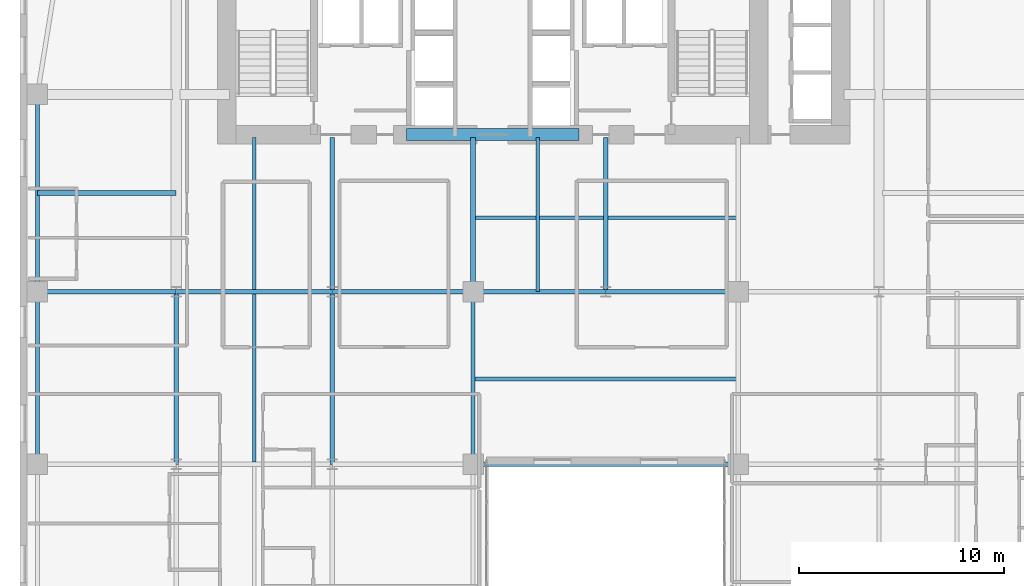
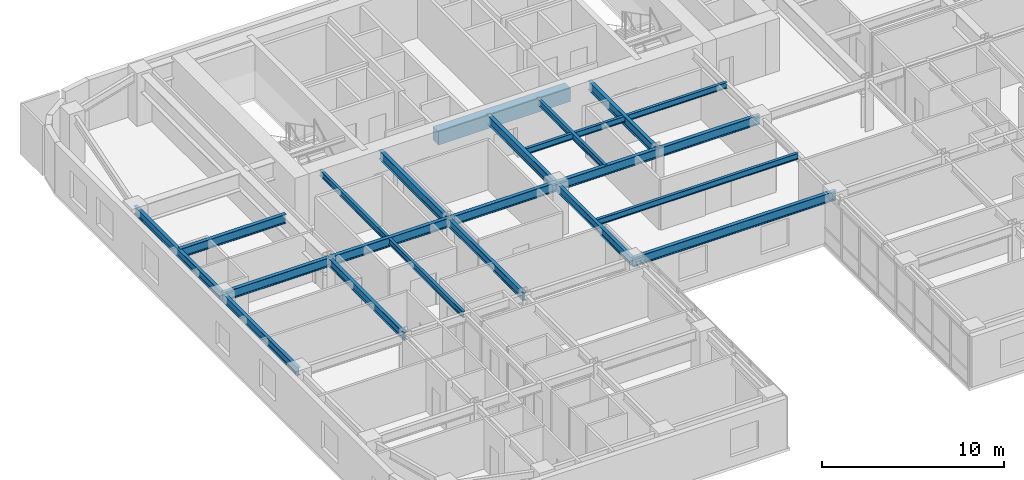
# One storey, part 4 of 17: 21 beams.
"""IFC4 building model written with IfcOpenShell, lengths in metres."""

from ifc_helpers import new_model, si_unit, direction, frame, origin, origin_2d, place, context, subcontext, project, spatial, rectangle, i_section, extrude, source, transform, mapped, material, material_profile, profile_set, type_object, type_shapes, element, save


model = new_model("IFC4")

# Units and contexts
model_context = context("Model", 3, precision=1e-05, world=origin(), true_north=direction((0.0, 1.0)))
body_context = subcontext(model_context, "Body", "Model", "MODEL_VIEW")
ifc_project = project(units=[si_unit("LENGTHUNIT", "METRE"), si_unit("AREAUNIT", "SQUARE_METRE"), si_unit("VOLUMEUNIT", "CUBIC_METRE"), si_unit("PLANEANGLEUNIT", "RADIAN"), si_unit("MASSUNIT", "GRAM", prefix="KILO")], contexts=[model_context])

# Site, building, storey
site_placement = place(None, origin())
site = spatial("IfcSite", under=ifc_project, at=site_placement, CompositionType="ELEMENT")
building_placement = place(site_placement, origin())
building = spatial("IfcBuilding", under=site, at=building_placement, Name="Tolvann Quenvar Hotel", CompositionType="ELEMENT")
storey_placement = place(building_placement, frame((0.0, 0.0, 49.75)))
storey = spatial("IfcBuildingStorey", under=building, at=storey_placement, Name="L11", CompositionType="ELEMENT", Elevation=49.75)

# Beams
ifc_material_1 = material(Name="Concrete N50 (50 MPa)", Category="concrete")
ifc_material_profile_1 = material_profile(ifc_material_1, rectangle(XDim=0.60009765625, YDim=0.89990234375, at=origin_2d()), Name="RC600x900")
ifc_profile_set_1 = profile_set([ifc_material_profile_1], Name="Concrete N50 (50 MPa)")
beam_type_1 = type_object("IfcBeamType", Name="BM_LINT_RC600x900", PredefinedType="LINTEL", material=ifc_profile_set_1)
shared_shape_1 = source(origin(), body_context, "Body", "SweptSolid", [
    extrude(rectangle(XDim=0.60009765625, YDim=0.89990234375, at=origin_2d()), origin(), (0.0, 0.0, 1.0), 8.39990234375),
])
type_shapes(beam_type_1, [shared_shape_1])
beam_1_placement = place(storey_placement, frame((18.800048828125, 32.050048828125, 2.919921875), z_axis=(1.0, 0.0, 0.0), x_axis=(0.0, 1.0, 0.0)))
element("IfcBeam", 1, at=beam_1_placement, inside=storey, type_object=beam_type_1, Name="Core Coupling Lintel Beam (L11)", PredefinedType="LINTEL", context=body_context, shape_type="MappedRepresentation", body=[
    mapped(shared_shape_1, transform((0.0, 0.0, 0.0), x_axis=(1.0, 0.0, 0.0), y_axis=(0.0, 1.0, 0.0), z_axis=(0.0, 0.0, 1.0), scale=1.0)),
])
ifc_material_2 = material(Name="Steel Grade 350", Category="steel")
ifc_material_profile_2 = material_profile(ifc_material_2, i_section(OverallWidth=0.22900390625, OverallDepth=0.612060546875, WebThickness=0.011962890625, FlangeThickness=0.01953125, FilletRadius=0.013916015625, at=origin_2d()), Name="610UB125")
ifc_profile_set_2 = profile_set([ifc_material_profile_2], Name="Steel Grade 350")
beam_type_2 = type_object("IfcBeamType", Name="BM_GIRD_610UB125", PredefinedType="BEAM", material=ifc_profile_set_2)
shared_shape_2 = source(origin(), body_context, "Body", "SweptSolid", [
    extrude(i_section(OverallWidth=0.22900390625, OverallDepth=0.612060546875, WebThickness=0.011962890625, FlangeThickness=0.01953125, FilletRadius=0.013916015625, at=origin_2d()), origin(), (0.0, 0.0, 1.0), 6.75),
])
for number, where, z_axis, x_axis, name in (
    (2, (0.85009765625, 24.39990234375, 3.06396484375), (1.0, 0.0, 0.0), (0.0, 1.0, 0.0), "BM-L11-EW-5-B5-C5"),
    (3, (0.85009765625, 29.199951171875, 3.06396484375), (1.0, 0.0, 0.0), (0.0, 1.0, 0.0), "BM-L11-EW-BC29"),
):
    element("IfcBeam", number, at=place(storey_placement, frame(where, z_axis=z_axis, x_axis=x_axis)), inside=storey, type_object=beam_type_2, Name=name, PredefinedType="BEAM", context=body_context, shape_type="MappedRepresentation", body=[
        mapped(shared_shape_2, transform((0.0, 0.0, 0.0), x_axis=(1.0, 0.0, 0.0), y_axis=(0.0, 1.0, 0.0), z_axis=(0.0, 0.0, 1.0), scale=1.0)),
    ])
shared_shape_3 = source(origin(), body_context, "Body", "SweptSolid", [
    extrude(i_section(OverallWidth=0.22900390625, OverallDepth=0.612060546875, WebThickness=0.011962890625, FlangeThickness=0.01953125, FilletRadius=0.013916015625, at=origin_2d()), origin(), (0.0, 0.0, 1.0), 7.599853515625),
])
beam_2_placement = place(storey_placement, frame((7.60009765625, 24.39990234375, 3.06396484375), z_axis=(1.0, 0.0, 0.0), x_axis=(0.0, 1.0, 0.0)))
element("IfcBeam", 4, at=beam_2_placement, inside=storey, type_object=beam_type_2, Name="BM-L11-EW-5-C5-D5", PredefinedType="BEAM", context=body_context, shape_type="MappedRepresentation", body=[
    mapped(shared_shape_3, transform((0.0, 0.0, 0.0), x_axis=(1.0, 0.0, 0.0), y_axis=(0.0, 1.0, 0.0), z_axis=(0.0, 0.0, 1.0), scale=1.0)),
])
shared_shape_4 = source(origin(), body_context, "Body", "SweptSolid", [
    extrude(i_section(OverallWidth=0.22900390625, OverallDepth=0.612060546875, WebThickness=0.011962890625, FlangeThickness=0.01953125, FilletRadius=0.013916015625, at=origin_2d()), origin(), (0.0, 0.0, 1.0), 6.85009765625),
])
beam_3_placement = place(storey_placement, frame((15.199951171875, 24.39990234375, 3.06396484375), z_axis=(1.0, 0.0, 0.0), x_axis=(0.0, 1.0, 0.0)))
element("IfcBeam", 5, at=beam_3_placement, inside=storey, type_object=beam_type_2, Name="BM-L11-EW-5-D5-E5", PredefinedType="BEAM", context=body_context, shape_type="MappedRepresentation", body=[
    mapped(shared_shape_4, transform((0.0, 0.0, 0.0), x_axis=(1.0, 0.0, 0.0), y_axis=(0.0, 1.0, 0.0), z_axis=(0.0, 0.0, 1.0), scale=1.0)),
])
shared_shape_5 = source(origin(), body_context, "Body", "SweptSolid", [
    extrude(i_section(OverallWidth=0.22900390625, OverallDepth=0.612060546875, WebThickness=0.011962890625, FlangeThickness=0.01953125, FilletRadius=0.013916015625, at=origin_2d()), origin(), (0.0, 0.0, 1.0), 12.89990234375),
])
beam_4_placement = place(storey_placement, frame((22.050048828125, 16.0, 3.06396484375), z_axis=(1.0, 0.0, 0.0), x_axis=(0.0, 1.0, 0.0)))
element("IfcBeam", 6, at=beam_4_placement, inside=storey, type_object=beam_type_2, Name="BM-L11-EW-4-E4-F4", PredefinedType="BEAM", context=body_context, shape_type="MappedRepresentation", body=[
    mapped(shared_shape_5, transform((0.0, 0.0, 0.0), x_axis=(1.0, 0.0, 0.0), y_axis=(0.0, 1.0, 0.0), z_axis=(0.0, 0.0, 1.0), scale=1.0)),
])
shared_shape_6 = source(origin(), body_context, "Body", "SweptSolid", [
    extrude(i_section(OverallWidth=0.22900390625, OverallDepth=0.612060546875, WebThickness=0.011962890625, FlangeThickness=0.01953125, FilletRadius=0.013916015625, at=origin_2d()), origin(), (0.0, 0.0, 1.0), 6.449951171875),
])
for number, where, z_axis, x_axis, name in (
    (7, (22.050048828125, 24.39990234375, 3.06396484375), (1.0, 0.0, 0.0), (0.0, 1.0, 0.0), "BM-L11-EW-5-E5-M5"),
    (8, (28.5, 24.39990234375, 3.06396484375), (1.0, 0.0, 0.0), (0.0, 1.0, 0.0), "BM-L11-EW-5-M5-F5"),
):
    element("IfcBeam", number, at=place(storey_placement, frame(where, z_axis=z_axis, x_axis=x_axis)), inside=storey, type_object=beam_type_2, Name=name, PredefinedType="BEAM", context=body_context, shape_type="MappedRepresentation", body=[
        mapped(shared_shape_6, transform((0.0, 0.0, 0.0), x_axis=(1.0, 0.0, 0.0), y_axis=(0.0, 1.0, 0.0), z_axis=(0.0, 0.0, 1.0), scale=1.0)),
    ])
ifc_material_profile_3 = material_profile(ifc_material_2, i_section(OverallWidth=0.208984375, OverallDepth=0.528076171875, WebThickness=0.009521484375, FlangeThickness=0.01318359375, FilletRadius=0.013916015625, at=origin_2d()), Name="530UB82")
ifc_profile_set_3 = profile_set([ifc_material_profile_3], Name="Steel Grade 350")
beam_type_3 = type_object("IfcBeamType", Name="BM_SPAND_530UB82", PredefinedType="SPANDREL", material=ifc_profile_set_3)
shared_shape_7 = source(origin(), body_context, "Body", "SweptSolid", [
    extrude(i_section(OverallWidth=0.208984375, OverallDepth=0.528076171875, WebThickness=0.009521484375, FlangeThickness=0.01318359375, FilletRadius=0.013916015625, at=origin_2d()), origin(), (0.0, 0.0, 1.0), 8.39990234375),
])
beam_5_placement = place(storey_placement, frame((0.85009765625, 16.0, 3.10595703125), z_axis=(0.0, 1.0, 0.0), x_axis=(-1.0, 0.0, 0.0)))
element("IfcBeam", 9, at=beam_5_placement, inside=storey, type_object=beam_type_3, Name="BM-L11-NS-B4-B5", PredefinedType="SPANDREL", context=body_context, shape_type="MappedRepresentation", body=[
    mapped(shared_shape_7, transform((0.0, 0.0, 0.0), x_axis=(1.0, 0.0, 0.0), y_axis=(0.0, 1.0, 0.0), z_axis=(0.0, 0.0, 1.0), scale=1.0)),
])
ifc_material_profile_4 = material_profile(ifc_material_2, i_section(OverallWidth=0.208984375, OverallDepth=0.532958984375, WebThickness=0.01025390625, FlangeThickness=0.015625, FilletRadius=0.013916015625, at=origin_2d()), Name="530UB92")
ifc_profile_set_4 = profile_set([ifc_material_profile_4], Name="Steel Grade 350")
beam_type_4 = type_object("IfcBeamType", Name="BM_GIRD_530UB92", PredefinedType="BEAM", material=ifc_profile_set_4)
shared_shape_8 = source(origin(), body_context, "Body", "SweptSolid", [
    extrude(i_section(OverallWidth=0.208984375, OverallDepth=0.532958984375, WebThickness=0.01025390625, FlangeThickness=0.015625, FilletRadius=0.013916015625, at=origin_2d()), origin(), (0.0, 0.0, 1.0), 8.39990234375),
])
type_shapes(beam_type_4, [shared_shape_8])
for number, where, z_axis, x_axis, name in (
    (10, (7.60009765625, 16.0, 3.103515625), (0.0, 1.0, 0.0), (-1.0, 0.0, 0.0), "BM-L11-NS-C4-C5"),
    (11, (15.199951171875, 16.0, 3.103515625), (0.0, 1.0, 0.0), (-1.0, 0.0, 0.0), "BM-L11-NS-D4-D5"),
    (12, (22.050048828125, 16.0, 3.103515625), (0.0, 1.0, 0.0), (-1.0, 0.0, 0.0), "BM-L11-NS-E4-E5"),
):
    element("IfcBeam", number, at=place(storey_placement, frame(where, z_axis=z_axis, x_axis=x_axis)), inside=storey, type_object=beam_type_4, Name=name, PredefinedType="BEAM", context=body_context, shape_type="MappedRepresentation", body=[
        mapped(shared_shape_8, transform((0.0, 0.0, 0.0), x_axis=(1.0, 0.0, 0.0), y_axis=(0.0, 1.0, 0.0), z_axis=(0.0, 0.0, 1.0), scale=1.0)),
    ])
shared_shape_9 = source(origin(), body_context, "Body", "SweptSolid", [
    extrude(i_section(OverallWidth=0.22900390625, OverallDepth=0.612060546875, WebThickness=0.011962890625, FlangeThickness=0.01953125, FilletRadius=0.013916015625, at=origin_2d()), origin(), (0.0, 0.0, 1.0), 7.5),
])
type_shapes(beam_type_2, [shared_shape_2, shared_shape_3, shared_shape_4, shared_shape_5, shared_shape_6, shared_shape_9])
for number, where, z_axis, x_axis, name in (
    (13, (15.199951171875, 24.39990234375, 3.06396484375), (0.0, 1.0, 0.0), (-1.0, 0.0, 0.0), "BM-L11-CORE-D5"),
    (14, (22.050048828125, 24.39990234375, 3.06396484375), (0.0, 1.0, 0.0), (-1.0, 0.0, 0.0), "BM-L11-CORE-E5"),
    (15, (28.5, 24.39990234375, 3.06396484375), (0.0, 1.0, 0.0), (-1.0, 0.0, 0.0), "BM-L11-CORE-M5"),
):
    element("IfcBeam", number, at=place(storey_placement, frame(where, z_axis=z_axis, x_axis=x_axis)), inside=storey, type_object=beam_type_2, Name=name, PredefinedType="BEAM", context=body_context, shape_type="MappedRepresentation", body=[
        mapped(shared_shape_9, transform((0.0, 0.0, 0.0), x_axis=(1.0, 0.0, 0.0), y_axis=(0.0, 1.0, 0.0), z_axis=(0.0, 0.0, 1.0), scale=1.0)),
    ])
shared_shape_10 = source(origin(), body_context, "Body", "SweptSolid", [
    extrude(i_section(OverallWidth=0.208984375, OverallDepth=0.528076171875, WebThickness=0.009521484375, FlangeThickness=0.01318359375, FilletRadius=0.013916015625, at=origin_2d()), origin(), (0.0, 0.0, 1.0), 9.60009765625),
])
type_shapes(beam_type_3, [shared_shape_7, shared_shape_10])
beam_6_placement = place(storey_placement, frame((0.85009765625, 24.39990234375, 3.10595703125), z_axis=(0.0, 1.0, 0.0), x_axis=(-1.0, 0.0, 0.0)))
element("IfcBeam", 16, at=beam_6_placement, inside=storey, type_object=beam_type_3, Name="BM-L11-FLK-W1", PredefinedType="SPANDREL", context=body_context, shape_type="MappedRepresentation", body=[
    mapped(shared_shape_10, transform((0.0, 0.0, 0.0), x_axis=(1.0, 0.0, 0.0), y_axis=(0.0, 1.0, 0.0), z_axis=(0.0, 0.0, 1.0), scale=1.0)),
])
ifc_material_profile_5 = material_profile(ifc_material_2, i_section(OverallWidth=0.177978515625, OverallDepth=0.406005859375, WebThickness=0.0078125, FlangeThickness=0.0126953125, FilletRadius=0.011474609375, at=origin_2d()), Name="410UB60")
ifc_profile_set_5 = profile_set([ifc_material_profile_5], Name="Steel Grade 350")
beam_type_5 = type_object("IfcBeamType", Name="BM_JOIST_410UB60", PredefinedType="JOIST", material=ifc_profile_set_5)
shared_shape_11 = source(origin(), body_context, "Body", "SweptSolid", [
    extrude(i_section(OverallWidth=0.177978515625, OverallDepth=0.406005859375, WebThickness=0.0078125, FlangeThickness=0.0126953125, FilletRadius=0.011474609375, at=origin_2d()), origin(), (0.0, 0.0, 1.0), 12.89990234375),
])
for number, where, z_axis, x_axis, name in (
    (17, (22.050048828125, 20.14990234375, 3.1669921875), (1.0, 0.0, 0.0), (0.0, 1.0, 0.0), "BM-L11-SPINE-20"),
    (18, (22.050048828125, 28.0, 3.1669921875), (1.0, 0.0, 0.0), (0.0, 1.0, 0.0), "BM-L11-SPINE-28"),
):
    element("IfcBeam", number, at=place(storey_placement, frame(where, z_axis=z_axis, x_axis=x_axis)), inside=storey, type_object=beam_type_5, Name=name, PredefinedType="JOIST", context=body_context, shape_type="MappedRepresentation", body=[
        mapped(shared_shape_11, transform((0.0, 0.0, 0.0), x_axis=(1.0, 0.0, 0.0), y_axis=(0.0, 1.0, 0.0), z_axis=(0.0, 0.0, 1.0), scale=1.0)),
    ])
shared_shape_12 = source(origin(), body_context, "Body", "SweptSolid", [
    extrude(i_section(OverallWidth=0.177978515625, OverallDepth=0.406005859375, WebThickness=0.0078125, FlangeThickness=0.0126953125, FilletRadius=0.011474609375, at=origin_2d()), origin(), (0.0, 0.0, 1.0), 8.18310546875),
])
beam_7_placement = place(storey_placement, frame((11.39990234375, 16.1083984375, 3.1669921875), z_axis=(0.0, 1.0, 0.0), x_axis=(-1.0, 0.0, 0.0)))
element("IfcBeam", 19, at=beam_7_placement, inside=storey, type_object=beam_type_5, Name="BJ-L11-114-160", PredefinedType="JOIST", context=body_context, shape_type="MappedRepresentation", body=[
    mapped(shared_shape_12, transform((0.0, 0.0, 0.0), x_axis=(1.0, 0.0, 0.0), y_axis=(0.0, 1.0, 0.0), z_axis=(0.0, 0.0, 1.0), scale=1.0)),
])
shared_shape_13 = source(origin(), body_context, "Body", "SweptSolid", [
    extrude(i_section(OverallWidth=0.177978515625, OverallDepth=0.406005859375, WebThickness=0.0078125, FlangeThickness=0.0126953125, FilletRadius=0.011474609375, at=origin_2d()), origin(), (0.0, 0.0, 1.0), 7.391357421875),
])
beam_8_placement = place(storey_placement, frame((11.39990234375, 24.508544921875, 3.1669921875), z_axis=(0.0, 1.0, 0.0), x_axis=(-1.0, 0.0, 0.0)))
element("IfcBeam", 20, at=beam_8_placement, inside=storey, type_object=beam_type_5, Name="BJ-L11-114-244", PredefinedType="JOIST", context=body_context, shape_type="MappedRepresentation", body=[
    mapped(shared_shape_13, transform((0.0, 0.0, 0.0), x_axis=(1.0, 0.0, 0.0), y_axis=(0.0, 1.0, 0.0), z_axis=(0.0, 0.0, 1.0), scale=1.0)),
])
shared_shape_14 = source(origin(), body_context, "Body", "SweptSolid", [
    extrude(i_section(OverallWidth=0.177978515625, OverallDepth=0.406005859375, WebThickness=0.0078125, FlangeThickness=0.0126953125, FilletRadius=0.011474609375, at=origin_2d()), origin(), (0.0, 0.0, 1.0), 7.5),
])
type_shapes(beam_type_5, [shared_shape_11, shared_shape_12, shared_shape_13, shared_shape_14])
beam_9_placement = place(storey_placement, frame((25.199951171875, 24.39990234375, 3.1669921875), z_axis=(0.0, 1.0, 0.0), x_axis=(-1.0, 0.0, 0.0)))
element("IfcBeam", 21, at=beam_9_placement, inside=storey, type_object=beam_type_5, Name="BJ-L11-252-244", PredefinedType="JOIST", context=body_context, shape_type="MappedRepresentation", body=[
    mapped(shared_shape_14, transform((0.0, 0.0, 0.0), x_axis=(1.0, 0.0, 0.0), y_axis=(0.0, 1.0, 0.0), z_axis=(0.0, 0.0, 1.0), scale=1.0)),
])

save(model, "model.ifc")
